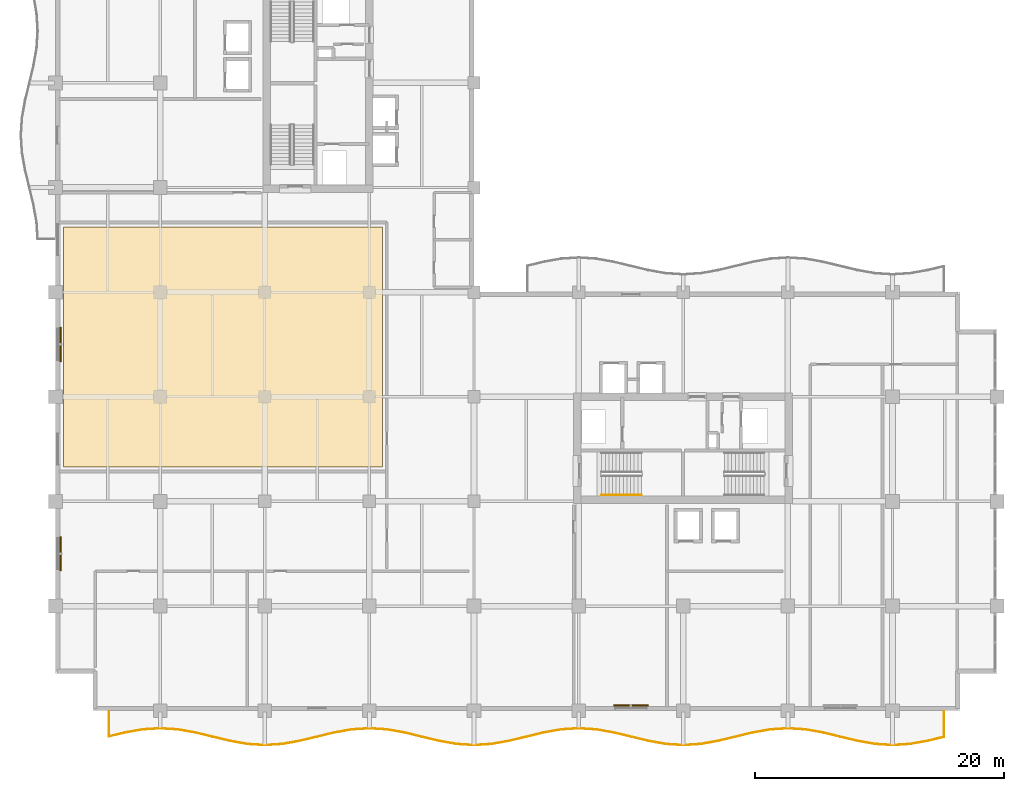
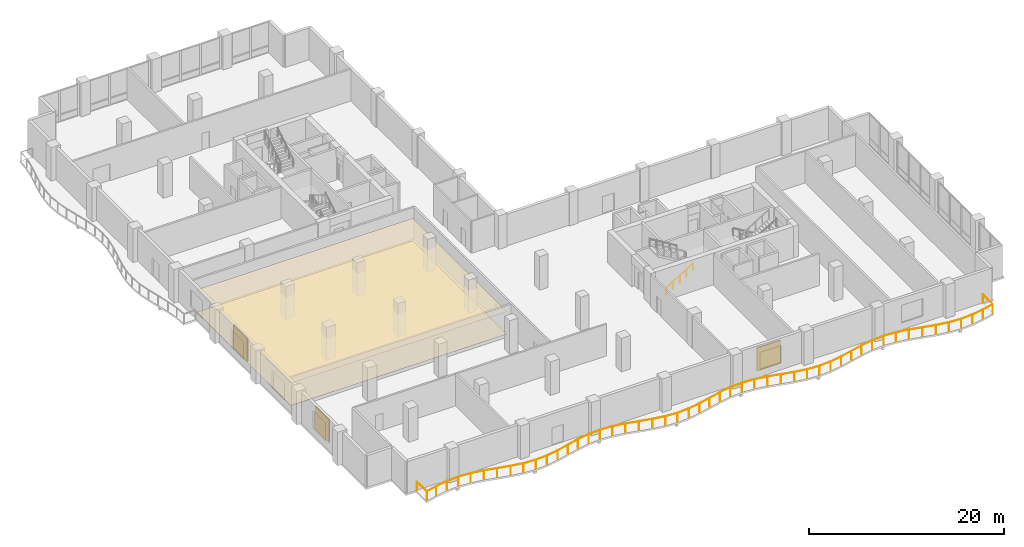
# One storey, part 19 of 22: 3 shading devices, 2 coverings, 2 railings.
"""IFC4 building model written with IfcOpenShell, lengths in metres."""

from ifc_helpers import new_model, si_unit, direction, frame, origin, origin_2d, place, context, subcontext, project, spatial, polyline, rectangle, circle, outline, extrude, material, layer, layer_set, type_object, element, save


model = new_model("IFC4")

# Units and contexts
model_context = context("Model", 3, precision=1e-05, world=origin(), true_north=direction((0.0, 1.0)))
body_context = subcontext(model_context, "Body", "Model", "MODEL_VIEW")
ifc_project = project(units=[si_unit("LENGTHUNIT", "METRE"), si_unit("AREAUNIT", "SQUARE_METRE"), si_unit("VOLUMEUNIT", "CUBIC_METRE"), si_unit("PLANEANGLEUNIT", "RADIAN"), si_unit("MASSUNIT", "GRAM", prefix="KILO")], contexts=[model_context])

# Site, building, storey
site_placement = place(None, origin())
site = spatial("IfcSite", under=ifc_project, at=site_placement, CompositionType="ELEMENT")
building_placement = place(site_placement, origin())
building = spatial("IfcBuilding", under=site, at=building_placement, Name="Koriwani Terraces Tower", CompositionType="ELEMENT")
storey_placement = place(building_placement, frame((0.0, 0.0, 219.800048828125)))
storey = spatial("IfcBuildingStorey", under=building, at=storey_placement, Name="L54", CompositionType="ELEMENT", Elevation=219.800048828125)

# Coverings
ifc_material_1 = material(Name="Fire-Rated Acoustic Gypsum Partition", Category="masonry")
ifc_layer_1 = layer(ifc_material_1, 0.02490234375, Name="Fire-Rated Acoustic Gypsum Partition")
ifc_layer_set_1 = layer_set([ifc_layer_1], Name="Fire-Rated Acoustic Gypsum Partition")
covering_type_1 = type_object("IfcCoveringType", Name="CEILING_ACOUSTIC_GYPSUM", PredefinedType="CEILING", material=ifc_layer_set_1)
covering_1_placement = place(storey_placement, frame((0.0, 0.0, 2.824951171875)))
element("IfcCovering", 1, at=covering_1_placement, inside=storey, type_object=covering_type_1, Name="L54 Suspended Acoustic Gypsum Ceiling", PredefinedType="CEILING", context=body_context, shape_type="SweptSolid", body=[
    extrude(outline(polyline([(0.64990234375, 19.550048828125), (0.64990234375, 38.85009765625), (26.25, 38.85009765625), (26.25, 19.550048828125), (0.64990234375, 19.550048828125)])), origin(), (0.0, 0.0, 1.0), 0.02490234375),
])
ifc_material_2 = material(Name="Polished Andean Slate Flooring", Category="masonry")
ifc_layer_2 = layer(ifc_material_2, 0.030029296875, Name="Polished Andean Slate Flooring")
ifc_layer_set_2 = layer_set([ifc_layer_2], Name="Polished Andean Slate Flooring")
covering_type_2 = type_object("IfcCoveringType", Name="FLOORING_ANDEAN_STONE", PredefinedType="FLOORING", material=ifc_layer_set_2)
covering_2_placement = place(storey_placement, origin())
element("IfcCovering", 2, at=covering_2_placement, inside=storey, type_object=covering_type_2, Name="L54 Polished Andean Slate Floor Finish", PredefinedType="FLOORING", context=body_context, shape_type="SweptSolid", body=[
    extrude(outline(polyline([(0.64990234375, 19.550048828125), (0.64990234375, 38.85009765625), (26.25, 38.85009765625), (26.25, 19.550048828125), (0.64990234375, 19.550048828125)])), origin(), (0.0, 0.0, 1.0), 0.030029296875),
])

# Railings
ifc_material_3 = material(Name="Steel ASTM A572 Grade 50", Category="steel")
railing_type_1 = type_object("IfcRailingType", Name="GUARD_BALUSTRADE_1150", PredefinedType="BALUSTRADE", material=ifc_material_3)
railing_1_placement = place(storey_placement, frame((4.280029296875, -0.080078125, 0.0)))
element("IfcRailing", 3, at=railing_1_placement, inside=storey, type_object=railing_type_1, Name="L54 Balcony Perimeter Safety Balustrade (S)", PredefinedType="BALUSTRADE", context=body_context, shape_type="SweptSolid", body=[
    extrude(circle(Radius=0.02392578125, at=origin_2d()), frame((0.0, 0.0, 1.1259765625), z_axis=(0.0, -1.0, 0.0), x_axis=(1.0, 0.0, 0.0)), (0.0, 0.0, 1.0), 1.993408203125),
    extrude(circle(Radius=0.02392578125, at=origin_2d()), frame((0.0, -1.993408203125, 1.1259765625), z_axis=(0.972163766848, 0.234302390999, 0.0), x_axis=(-0.234302390999, 0.972163766848, 0.0)), (0.0, 0.0, 1.0), 1.341064453125),
    extrude(circle(Radius=0.02392578125, at=origin_2d()), frame((1.3037109375, -1.67919921875, 1.1259765625), z_axis=(0.984778396698, 0.173814583381, 0.0), x_axis=(-0.173814583381, 0.984778396698, 0.0)), (0.0, 0.0, 1.0), 1.428466796875),
    extrude(circle(Radius=0.02392578125, at=origin_2d()), frame((2.71044921875, -1.430908203125, 1.1259765625), z_axis=(0.997930321615, 0.064304534842, 0.0), x_axis=(-0.064304534842, 0.997930321615, 0.0)), (0.0, 0.0, 1.0), 1.412353515625),
    extrude(circle(Radius=0.02392578125, at=origin_2d()), frame((4.119873046875, -1.340087890625, 1.1259765625), z_axis=(0.997931036226, -0.064293443969, 0.0), x_axis=(0.064293443969, 0.997931036226, 0.0)), (0.0, 0.0, 1.0), 1.41259765625),
    extrude(circle(Radius=0.02392578125, at=origin_2d()), frame((5.529541015625, -1.430908203125, 1.1259765625), z_axis=(0.984778396698, -0.173814583381, 0.0), x_axis=(0.173814583381, 0.984778396698, 0.0)), (0.0, 0.0, 1.0), 1.428466796875),
    extrude(circle(Radius=0.02392578125, at=origin_2d()), frame((6.936279296875, -1.67919921875, 1.1259765625), z_axis=(0.972166814785, -0.234289744186, 0.0), x_axis=(0.234289744186, 0.972166814785, 0.0)), (0.0, 0.0, 1.0), 2.880126953125),
    extrude(circle(Radius=0.02392578125, at=origin_2d()), frame((9.736328125, -2.35400390625, 1.1259765625), z_axis=(0.984757491153, -0.173932985997, 0.0), x_axis=(0.173932985997, 0.984757491153, 0.0)), (0.0, 0.0, 1.0), 1.414794921875),
    extrude(circle(Radius=0.02392578125, at=origin_2d()), frame((11.129638671875, -2.60009765625, 1.1259765625), z_axis=(0.997930027485, -0.064309099225, 0.0), x_axis=(0.064309099225, 0.997930027485, 0.0)), (0.0, 0.0, 1.0), 1.393310546875),
    extrude(circle(Radius=0.02392578125, at=origin_2d()), frame((12.52001953125, -2.689697265625, 1.1259765625), z_axis=(0.997930027485, 0.064309099225, 0.0), x_axis=(-0.064309099225, 0.997930027485, 0.0)), (0.0, 0.0, 1.0), 1.393310546875),
    extrude(circle(Radius=0.02392578125, at=origin_2d()), frame((13.910400390625, -2.60009765625, 1.1259765625), z_axis=(0.984757491153, 0.173932985997, 0.0), x_axis=(-0.173932985997, 0.984757491153, 0.0)), (0.0, 0.0, 1.0), 1.414794921875),
    extrude(circle(Radius=0.02392578125, at=origin_2d()), frame((15.3037109375, -2.35400390625, 1.1259765625), z_axis=(0.972166814785, 0.234289744186, 0.0), x_axis=(-0.234289744186, 0.972166814785, 0.0)), (0.0, 0.0, 1.0), 2.880126953125),
    extrude(circle(Radius=0.02392578125, at=origin_2d()), frame((18.103759765625, -1.67919921875, 1.1259765625), z_axis=(0.984778396698, 0.173814583381, 0.0), x_axis=(-0.173814583381, 0.984778396698, 0.0)), (0.0, 0.0, 1.0), 1.428466796875),
    extrude(circle(Radius=0.02392578125, at=origin_2d()), frame((19.510498046875, -1.430908203125, 1.1259765625), z_axis=(0.997930321615, 0.064304534842, 0.0), x_axis=(-0.064304534842, 0.997930321615, 0.0)), (0.0, 0.0, 1.0), 1.412353515625),
    extrude(circle(Radius=0.02392578125, at=origin_2d()), frame((20.919921875, -1.340087890625, 1.1259765625), z_axis=(0.997931036226, -0.064293443969, 0.0), x_axis=(0.064293443969, 0.997931036226, 0.0)), (0.0, 0.0, 1.0), 1.41259765625),
    extrude(circle(Radius=0.02392578125, at=origin_2d()), frame((22.32958984375, -1.430908203125, 1.1259765625), z_axis=(0.984778396698, -0.173814583381, 0.0), x_axis=(0.173814583381, 0.984778396698, 0.0)), (0.0, 0.0, 1.0), 1.428466796875),
    extrude(circle(Radius=0.02392578125, at=origin_2d()), frame((23.736328125, -1.67919921875, 1.1259765625), z_axis=(0.972166814785, -0.234289744186, 0.0), x_axis=(0.234289744186, 0.972166814785, 0.0)), (0.0, 0.0, 1.0), 2.880126953125),
    extrude(circle(Radius=0.02392578125, at=origin_2d()), frame((26.536376953125, -2.35400390625, 1.1259765625), z_axis=(0.984757491153, -0.173932985997, 0.0), x_axis=(0.173932985997, 0.984757491153, 0.0)), (0.0, 0.0, 1.0), 1.414794921875),
    extrude(circle(Radius=0.02392578125, at=origin_2d()), frame((27.9296875, -2.60009765625, 1.1259765625), z_axis=(0.997930027485, -0.064309099225, 0.0), x_axis=(0.064309099225, 0.997930027485, 0.0)), (0.0, 0.0, 1.0), 1.393310546875),
    extrude(circle(Radius=0.02392578125, at=origin_2d()), frame((29.320068359375, -2.689697265625, 1.1259765625), z_axis=(0.997930027485, 0.064309099225, 0.0), x_axis=(-0.064309099225, 0.997930027485, 0.0)), (0.0, 0.0, 1.0), 1.393310546875),
    extrude(circle(Radius=0.02392578125, at=origin_2d()), frame((30.71044921875, -2.60009765625, 1.1259765625), z_axis=(0.984757491153, 0.173932985997, 0.0), x_axis=(-0.173932985997, 0.984757491153, 0.0)), (0.0, 0.0, 1.0), 1.414794921875),
    extrude(circle(Radius=0.02392578125, at=origin_2d()), frame((32.103759765625, -2.35400390625, 1.1259765625), z_axis=(0.97216216133, 0.234309052487, 0.0), x_axis=(-0.234309052487, 0.97216216133, 0.0)), (0.0, 0.0, 1.0), 2.8798828125),
    extrude(circle(Radius=0.02392578125, at=origin_2d()), frame((34.903564453125, -1.67919921875, 1.1259765625), z_axis=(0.984783558818, 0.173785333909, 0.0), x_axis=(-0.173785333909, 0.984783558818, 0.0)), (0.0, 0.0, 1.0), 1.4287109375),
    extrude(circle(Radius=0.02392578125, at=origin_2d()), frame((36.310546875, -1.430908203125, 1.1259765625), z_axis=(0.997930321615, 0.064304534842, 0.0), x_axis=(-0.064304534842, 0.997930321615, 0.0)), (0.0, 0.0, 1.0), 1.412353515625),
    extrude(circle(Radius=0.02392578125, at=origin_2d()), frame((37.719970703125, -1.340087890625, 1.1259765625), z_axis=(0.997930321615, -0.064304534842, 0.0), x_axis=(0.064304534842, 0.997930321615, 0.0)), (0.0, 0.0, 1.0), 1.412353515625),
    extrude(circle(Radius=0.02392578125, at=origin_2d()), frame((39.12939453125, -1.430908203125, 1.1259765625), z_axis=(0.984783558818, -0.173785333909, 0.0), x_axis=(0.173785333909, 0.984783558818, 0.0)), (0.0, 0.0, 1.0), 1.4287109375),
    extrude(circle(Radius=0.02392578125, at=origin_2d()), frame((40.536376953125, -1.67919921875, 1.1259765625), z_axis=(0.97216216133, -0.234309052487, 0.0), x_axis=(0.234309052487, 0.97216216133, 0.0)), (0.0, 0.0, 1.0), 2.8798828125),
    extrude(circle(Radius=0.02392578125, at=origin_2d()), frame((43.336181640625, -2.35400390625, 1.1259765625), z_axis=(0.984757491153, -0.173932985997, 0.0), x_axis=(0.173932985997, 0.984757491153, 0.0)), (0.0, 0.0, 1.0), 1.414794921875),
    extrude(circle(Radius=0.02392578125, at=origin_2d()), frame((44.7294921875, -2.60009765625, 1.1259765625), z_axis=(0.997930027485, -0.064309099225, 0.0), x_axis=(0.064309099225, 0.997930027485, 0.0)), (0.0, 0.0, 1.0), 1.393310546875),
    extrude(circle(Radius=0.02392578125, at=origin_2d()), frame((46.119873046875, -2.689697265625, 1.1259765625), z_axis=(0.997930027485, 0.064309099225, 0.0), x_axis=(-0.064309099225, 0.997930027485, 0.0)), (0.0, 0.0, 1.0), 1.393310546875),
    extrude(circle(Radius=0.02392578125, at=origin_2d()), frame((47.51025390625, -2.60009765625, 1.1259765625), z_axis=(0.984757491153, 0.173932985997, 0.0), x_axis=(-0.173932985997, 0.984757491153, 0.0)), (0.0, 0.0, 1.0), 1.414794921875),
    extrude(circle(Radius=0.02392578125, at=origin_2d()), frame((48.903564453125, -2.35400390625, 1.1259765625), z_axis=(0.972166814785, 0.234289744186, 0.0), x_axis=(-0.234289744186, 0.972166814785, 0.0)), (0.0, 0.0, 1.0), 2.880126953125),
    extrude(circle(Radius=0.02392578125, at=origin_2d()), frame((51.70361328125, -1.67919921875, 1.1259765625), z_axis=(0.984778396698, 0.173814583381, 0.0), x_axis=(-0.173814583381, 0.984778396698, 0.0)), (0.0, 0.0, 1.0), 1.428466796875),
    extrude(circle(Radius=0.02392578125, at=origin_2d()), frame((53.1103515625, -1.430908203125, 1.1259765625), z_axis=(0.997931036226, 0.064293443969, 0.0), x_axis=(-0.064293443969, 0.997931036226, 0.0)), (0.0, 0.0, 1.0), 1.41259765625),
    extrude(circle(Radius=0.02392578125, at=origin_2d()), frame((54.52001953125, -1.340087890625, 1.1259765625), z_axis=(0.997930321615, -0.064304534842, 0.0), x_axis=(0.064304534842, 0.997930321615, 0.0)), (0.0, 0.0, 1.0), 1.412353515625),
    extrude(circle(Radius=0.02392578125, at=origin_2d()), frame((55.929443359375, -1.430908203125, 1.1259765625), z_axis=(0.984778396698, -0.173814583381, 0.0), x_axis=(0.173814583381, 0.984778396698, 0.0)), (0.0, 0.0, 1.0), 1.428466796875),
    extrude(circle(Radius=0.02392578125, at=origin_2d()), frame((57.336181640625, -1.67919921875, 1.1259765625), z_axis=(0.972166814785, -0.234289744186, 0.0), x_axis=(0.234289744186, 0.972166814785, 0.0)), (0.0, 0.0, 1.0), 2.880126953125),
    extrude(circle(Radius=0.02392578125, at=origin_2d()), frame((60.13623046875, -2.35400390625, 1.1259765625), z_axis=(0.984757491153, -0.173932985997, 0.0), x_axis=(0.173932985997, 0.984757491153, 0.0)), (0.0, 0.0, 1.0), 1.414794921875),
    extrude(circle(Radius=0.02392578125, at=origin_2d()), frame((61.529541015625, -2.60009765625, 1.1259765625), z_axis=(0.997930027485, -0.064309099225, 0.0), x_axis=(0.064309099225, 0.997930027485, 0.0)), (0.0, 0.0, 1.0), 1.393310546875),
    extrude(circle(Radius=0.02392578125, at=origin_2d()), frame((62.919921875, -2.689697265625, 1.1259765625), z_axis=(0.997930027485, 0.064309099225, 0.0), x_axis=(-0.064309099225, 0.997930027485, 0.0)), (0.0, 0.0, 1.0), 1.393310546875),
    extrude(circle(Radius=0.02392578125, at=origin_2d()), frame((64.310302734375, -2.60009765625, 1.1259765625), z_axis=(0.984757491153, 0.173932985997, 0.0), x_axis=(-0.173932985997, 0.984757491153, 0.0)), (0.0, 0.0, 1.0), 1.414794921875),
    extrude(circle(Radius=0.02392578125, at=origin_2d()), frame((65.70361328125, -2.35400390625, 1.1259765625), z_axis=(0.97217571982, 0.234252790362, 0.0), x_axis=(-0.234252790362, 0.97217571982, 0.0)), (0.0, 0.0, 1.0), 1.374755859375),
    extrude(circle(Radius=0.02392578125, at=origin_2d()), frame((67.0400390625, -2.031982421875, 1.1259765625), z_axis=(0.0, 1.0, 0.0), x_axis=(-1.0, 0.0, 0.0)), (0.0, 0.0, 1.0), 2.031982421875),
    extrude(circle(Radius=0.02099609375, at=origin_2d()), origin(), (0.0, 0.0, 1.0), 1.101806640625),
    extrude(circle(Radius=0.02099609375, at=origin_2d()), frame((0.0, -1.993408203125, 0.0)), (0.0, 0.0, 1.0), 1.101806640625),
    extrude(circle(Radius=0.02099609375, at=origin_2d()), frame((1.3037109375, -1.67919921875, 0.0)), (0.0, 0.0, 1.0), 1.101806640625),
    extrude(circle(Radius=0.02099609375, at=origin_2d()), frame((2.71044921875, -1.430908203125, 0.0)), (0.0, 0.0, 1.0), 1.101806640625),
    extrude(circle(Radius=0.02099609375, at=origin_2d()), frame((4.119873046875, -1.340087890625, 0.0)), (0.0, 0.0, 1.0), 1.101806640625),
    extrude(circle(Radius=0.02099609375, at=origin_2d()), frame((5.529541015625, -1.430908203125, 0.0)), (0.0, 0.0, 1.0), 1.101806640625),
    extrude(circle(Radius=0.02099609375, at=origin_2d()), frame((6.936279296875, -1.67919921875, 0.0)), (0.0, 0.0, 1.0), 1.101806640625),
    extrude(circle(Radius=0.02099609375, at=origin_2d()), frame((8.33642578125, -2.0166015625, 0.0)), (0.0, 0.0, 1.0), 1.101806640625),
    extrude(circle(Radius=0.02099609375, at=origin_2d()), frame((9.736328125, -2.35400390625, 0.0)), (0.0, 0.0, 1.0), 1.101806640625),
    extrude(circle(Radius=0.02099609375, at=origin_2d()), frame((11.129638671875, -2.60009765625, 0.0)), (0.0, 0.0, 1.0), 1.101806640625),
    extrude(circle(Radius=0.02099609375, at=origin_2d()), frame((12.52001953125, -2.689697265625, 0.0)), (0.0, 0.0, 1.0), 1.101806640625),
    extrude(circle(Radius=0.02099609375, at=origin_2d()), frame((13.910400390625, -2.60009765625, 0.0)), (0.0, 0.0, 1.0), 1.101806640625),
    extrude(circle(Radius=0.02099609375, at=origin_2d()), frame((15.3037109375, -2.35400390625, 0.0)), (0.0, 0.0, 1.0), 1.101806640625),
    extrude(circle(Radius=0.02099609375, at=origin_2d()), frame((16.70361328125, -2.0166015625, 0.0)), (0.0, 0.0, 1.0), 1.101806640625),
    extrude(circle(Radius=0.02099609375, at=origin_2d()), frame((18.103759765625, -1.67919921875, 0.0)), (0.0, 0.0, 1.0), 1.101806640625),
    extrude(circle(Radius=0.02099609375, at=origin_2d()), frame((19.510498046875, -1.430908203125, 0.0)), (0.0, 0.0, 1.0), 1.101806640625),
    extrude(circle(Radius=0.02099609375, at=origin_2d()), frame((20.919921875, -1.340087890625, 0.0)), (0.0, 0.0, 1.0), 1.101806640625),
    extrude(circle(Radius=0.02099609375, at=origin_2d()), frame((22.32958984375, -1.430908203125, 0.0)), (0.0, 0.0, 1.0), 1.101806640625),
    extrude(circle(Radius=0.02099609375, at=origin_2d()), frame((23.736328125, -1.67919921875, 0.0)), (0.0, 0.0, 1.0), 1.101806640625),
    extrude(circle(Radius=0.02099609375, at=origin_2d()), frame((25.13623046875, -2.0166015625, 0.0)), (0.0, 0.0, 1.0), 1.101806640625),
    extrude(circle(Radius=0.02099609375, at=origin_2d()), frame((26.536376953125, -2.35400390625, 0.0)), (0.0, 0.0, 1.0), 1.101806640625),
    extrude(circle(Radius=0.02099609375, at=origin_2d()), frame((27.9296875, -2.60009765625, 0.0)), (0.0, 0.0, 1.0), 1.101806640625),
    extrude(circle(Radius=0.02099609375, at=origin_2d()), frame((29.320068359375, -2.689697265625, 0.0)), (0.0, 0.0, 1.0), 1.101806640625),
    extrude(circle(Radius=0.02099609375, at=origin_2d()), frame((30.71044921875, -2.60009765625, 0.0)), (0.0, 0.0, 1.0), 1.101806640625),
    extrude(circle(Radius=0.02099609375, at=origin_2d()), frame((32.103759765625, -2.35400390625, 0.0)), (0.0, 0.0, 1.0), 1.101806640625),
    extrude(circle(Radius=0.02099609375, at=origin_2d()), frame((33.503662109375, -2.0166015625, 0.0)), (0.0, 0.0, 1.0), 1.101806640625),
    extrude(circle(Radius=0.02099609375, at=origin_2d()), frame((34.903564453125, -1.67919921875, 0.0)), (0.0, 0.0, 1.0), 1.101806640625),
    extrude(circle(Radius=0.02099609375, at=origin_2d()), frame((36.310546875, -1.430908203125, 0.0)), (0.0, 0.0, 1.0), 1.101806640625),
    extrude(circle(Radius=0.02099609375, at=origin_2d()), frame((37.719970703125, -1.340087890625, 0.0)), (0.0, 0.0, 1.0), 1.101806640625),
    extrude(circle(Radius=0.02099609375, at=origin_2d()), frame((39.12939453125, -1.430908203125, 0.0)), (0.0, 0.0, 1.0), 1.101806640625),
    extrude(circle(Radius=0.02099609375, at=origin_2d()), frame((40.536376953125, -1.67919921875, 0.0)), (0.0, 0.0, 1.0), 1.101806640625),
    extrude(circle(Radius=0.02099609375, at=origin_2d()), frame((41.936279296875, -2.0166015625, 0.0)), (0.0, 0.0, 1.0), 1.101806640625),
    extrude(circle(Radius=0.02099609375, at=origin_2d()), frame((43.336181640625, -2.35400390625, 0.0)), (0.0, 0.0, 1.0), 1.101806640625),
    extrude(circle(Radius=0.02099609375, at=origin_2d()), frame((44.7294921875, -2.60009765625, 0.0)), (0.0, 0.0, 1.0), 1.101806640625),
    extrude(circle(Radius=0.02099609375, at=origin_2d()), frame((46.119873046875, -2.689697265625, 0.0)), (0.0, 0.0, 1.0), 1.101806640625),
    extrude(circle(Radius=0.02099609375, at=origin_2d()), frame((47.51025390625, -2.60009765625, 0.0)), (0.0, 0.0, 1.0), 1.101806640625),
    extrude(circle(Radius=0.02099609375, at=origin_2d()), frame((48.903564453125, -2.35400390625, 0.0)), (0.0, 0.0, 1.0), 1.101806640625),
    extrude(circle(Radius=0.02099609375, at=origin_2d()), frame((50.3037109375, -2.0166015625, 0.0)), (0.0, 0.0, 1.0), 1.101806640625),
    extrude(circle(Radius=0.02099609375, at=origin_2d()), frame((51.70361328125, -1.67919921875, 0.0)), (0.0, 0.0, 1.0), 1.101806640625),
    extrude(circle(Radius=0.02099609375, at=origin_2d()), frame((53.1103515625, -1.430908203125, 0.0)), (0.0, 0.0, 1.0), 1.101806640625),
    extrude(circle(Radius=0.02099609375, at=origin_2d()), frame((54.52001953125, -1.340087890625, 0.0)), (0.0, 0.0, 1.0), 1.101806640625),
    extrude(circle(Radius=0.02099609375, at=origin_2d()), frame((55.929443359375, -1.430908203125, 0.0)), (0.0, 0.0, 1.0), 1.101806640625),
    extrude(circle(Radius=0.02099609375, at=origin_2d()), frame((57.336181640625, -1.67919921875, 0.0)), (0.0, 0.0, 1.0), 1.101806640625),
    extrude(circle(Radius=0.02099609375, at=origin_2d()), frame((58.736328125, -2.0166015625, 0.0)), (0.0, 0.0, 1.0), 1.101806640625),
    extrude(circle(Radius=0.02099609375, at=origin_2d()), frame((60.13623046875, -2.35400390625, 0.0)), (0.0, 0.0, 1.0), 1.101806640625),
    extrude(circle(Radius=0.02099609375, at=origin_2d()), frame((61.529541015625, -2.60009765625, 0.0)), (0.0, 0.0, 1.0), 1.101806640625),
    extrude(circle(Radius=0.02099609375, at=origin_2d()), frame((62.919921875, -2.689697265625, 0.0)), (0.0, 0.0, 1.0), 1.101806640625),
    extrude(circle(Radius=0.02099609375, at=origin_2d()), frame((64.310302734375, -2.60009765625, 0.0)), (0.0, 0.0, 1.0), 1.101806640625),
    extrude(circle(Radius=0.02099609375, at=origin_2d()), frame((65.70361328125, -2.35400390625, 0.0)), (0.0, 0.0, 1.0), 1.101806640625),
    extrude(circle(Radius=0.02099609375, at=origin_2d()), frame((67.0400390625, -2.031982421875, 0.0)), (0.0, 0.0, 1.0), 1.101806640625),
    extrude(circle(Radius=0.02099609375, at=origin_2d()), frame((67.0400390625, 0.0, 0.0)), (0.0, 0.0, 1.0), 1.101806640625),
])
railing_type_2 = type_object("IfcRailingType", Name="HANDRAIL_STAIR_920", PredefinedType="HANDRAIL", material=ifc_material_3)
railing_2_placement = place(storey_placement, frame((43.85009765625, 17.300048828125, 0.175048828125)))
element("IfcRailing", 4, at=railing_2_placement, inside=storey, type_object=railing_type_2, Name="L54 ST-E1 stair handrail 1", PredefinedType="HANDRAIL", context=body_context, shape_type="SweptSolid", body=[
    extrude(circle(Radius=0.02392578125, at=origin_2d()), frame((0.0, 0.0, 0.8759765625), z_axis=(0.856206652436, 0.0, 0.516633495163), x_axis=(0.0, 1.0, 0.0)), (0.0, 0.0, 1.0), 3.7255859375),
    extrude(circle(Radius=0.02099609375, at=origin_2d()), origin(), (0.0, 0.0, 1.0), 0.851806640625),
    extrude(circle(Radius=0.02099609375, at=origin_2d()), frame((0.79736328125, 0.0, 0.481201171875)), (0.0, 0.0, 1.0), 0.851806640625),
    extrude(circle(Radius=0.02099609375, at=origin_2d()), frame((1.594970703125, 0.0, 0.96240234375)), (0.0, 0.0, 1.0), 0.851806640625),
    extrude(circle(Radius=0.02099609375, at=origin_2d()), frame((2.392578125, 0.0, 1.443603515625)), (0.0, 0.0, 1.0), 0.851806640625),
    extrude(circle(Radius=0.02099609375, at=origin_2d()), frame((3.18994140625, 0.0, 1.9248046875)), (0.0, 0.0, 1.0), 0.851806640625),
])

# Shading devices
ifc_material_4 = material(Name="Extruded Terracotta Clay", Category="masonry")
ifc_layer_3 = layer(ifc_material_4, 0.1201171875, Name="Extruded Terracotta Clay")
ifc_layer_set_3 = layer_set([ifc_layer_3], Name="Extruded Terracotta Clay")
shading_device_type = type_object("IfcShadingDeviceType", Name="TERRACOTTA_BAGUETTE_SCREEN_2800", PredefinedType="USERDEFINED", material=ifc_layer_set_3)
for number, where, z_axis, x_axis, name in (
    (5, (0.405029296875, 12.60009765625, 0.534912109375), (0.0, 0.0, 1.0), (0.0, 1.0, 0.0), "L54 Extruded Terracotta Baguette Screen (W-3)"),
    (6, (0.405029296875, 29.39990234375, 0.534912109375), (0.0, 0.0, 1.0), (0.0, 1.0, 0.0), "L54 Extruded Terracotta Baguette Screen (W-9)"),
    (7, (46.199951171875, 0.405029296875, 0.534912109375), (0.0, 0.0, 1.0), (-1.0, 0.0, 0.0), "L54 Extruded Terracotta Baguette Screen (S-15)"),
):
    element("IfcShadingDevice", number, at=place(storey_placement, frame(where, z_axis=z_axis, x_axis=x_axis)), inside=storey, type_object=shading_device_type, Name=name, ObjectType="BAGUETTE", PredefinedType="USERDEFINED", context=body_context, shape_type="SweptSolid", body=[
        extrude(rectangle(XDim=2.760009765625, YDim=0.1201171875, at=origin_2d()), origin(), (0.0, 0.0, 1.0), 2.89990234375),
    ])

save(model, "model.ifc")
